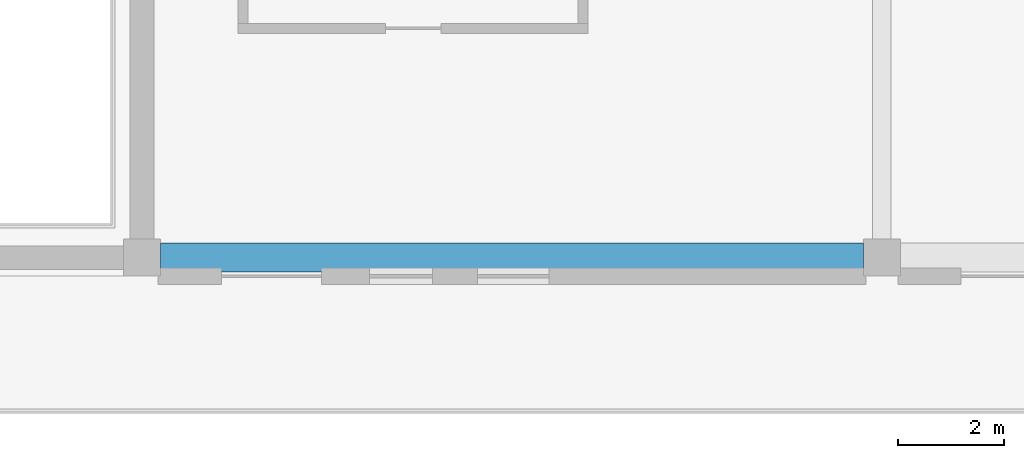
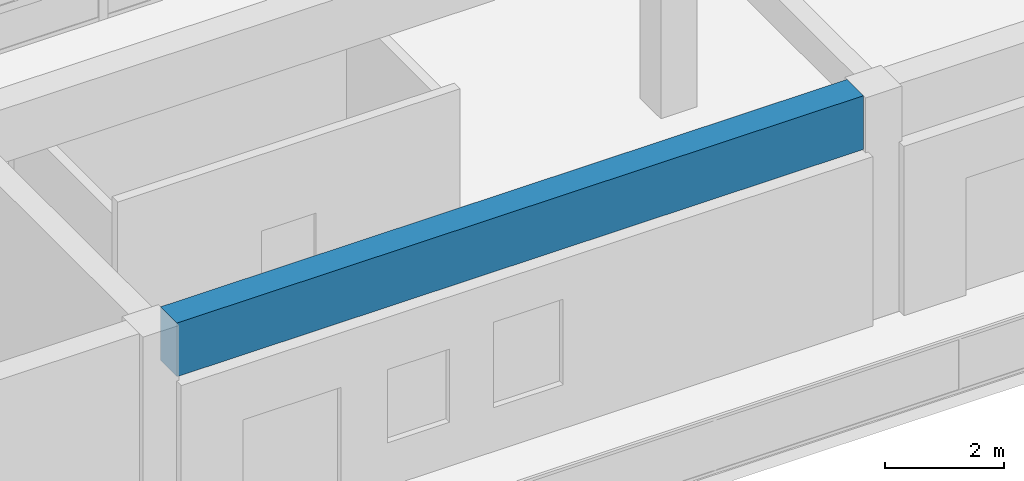
# One storey, part 19 of 94: 1 beam.
"""IFC4 building model written with IfcOpenShell, lengths in metres."""

import ifcopenshell
import ifcopenshell.guid

model = None  # the IFC model being written
_history = None  # IfcOwnerHistory: only IFC2X3 demands one
_inside = {}  # id of a spatial element -> (the spatial element, [elements in it])
_under = {}  # id of a project, library or spatial element -> (it, [spatial elements below it])
_declared = {}  # id of a project -> (the project, [libraries it declares])
_typed = {}  # id of a type object -> (the type object, [elements of that type])
_made_of = {}  # id of a material, layer set ... -> (it, [elements and type objects made of it])


def new_model(schema):
    """Start an empty IFC model of exactly this schema.

    Asked for "IFC4X3", IfcOpenShell would pick the latest addendum, in which some entities
    have other attributes; the version numbers below select the first issue.
    IFC2X3 requires an IfcOwnerHistory on every rooted entity: one is made here for all.
    """
    global model, _history
    if schema == "IFC4X3":
        model = ifcopenshell.file(schema_version=(4, 3, 0, 0))
    else:
        model = ifcopenshell.file(schema=schema)
    _inside.clear()
    _under.clear()
    _declared.clear()
    _typed.clear()
    _made_of.clear()
    _history = None
    if model.schema == "IFC2X3":
        org = make("IfcOrganization", Name="unknown")
        user = make(
            "IfcPersonAndOrganization",
            ThePerson=make("IfcPerson", FamilyName="unknown"),
            TheOrganization=org,
        )
        app = make(
            "IfcApplication",
            ApplicationDeveloper=org,
            Version="unknown",
            ApplicationFullName="unknown",
            ApplicationIdentifier="unknown",
        )
        _history = make(
            "IfcOwnerHistory",
            OwningUser=user,
            OwningApplication=app,
            ChangeAction="ADDED",
            CreationDate=0,
        )
    return model


def make(cls, **values):
    """One entity of the class cls with the attributes given. An attribute that is None is left unset."""
    return model.create_entity(
        cls, **{name: value for name, value in values.items() if value is not None}
    )


def rooted(cls, **values):
    """An entity with a GlobalId (a new one), such as an element, a storey or a relation."""
    return make(cls, GlobalId=ifcopenshell.guid.new(), OwnerHistory=_history, **values)


def si_unit(unit_type, name, prefix=None):
    """IfcSIUnit, for example si_unit("LENGTHUNIT", "METRE", prefix="MILLI")."""
    return make("IfcSIUnit", UnitType=unit_type, Prefix=prefix, Name=name)


def assignment(units):
    """IfcUnitAssignment: the units of a project."""
    return None if units is None else make("IfcUnitAssignment", Units=units)


def point(xyz):
    """IfcCartesianPoint."""
    return None if xyz is None else make("IfcCartesianPoint", Coordinates=xyz)


def direction(xyz):
    """IfcDirection."""
    return None if xyz is None else make("IfcDirection", DirectionRatios=xyz)


def frame(location, z_axis=None, x_axis=None):
    """IfcAxis2Placement3D, a coordinate frame: its origin and axes. An axis left out is left unset."""
    return make(
        "IfcAxis2Placement3D",
        Location=point(location),
        Axis=direction(z_axis),
        RefDirection=direction(x_axis),
    )


def frame_2d(location, x_axis=None):
    """IfcAxis2Placement2D, a coordinate frame in the plane: its origin and x axis."""
    return make(
        "IfcAxis2Placement2D", Location=point(location), RefDirection=direction(x_axis)
    )


def origin():
    """The frame at (0, 0, 0) with its axes left unset."""
    return frame((0.0, 0.0, 0.0))


def origin_2d():
    """The frame at (0, 0) in the plane with its x axis left unset."""
    return frame_2d((0.0, 0.0))


def place(relative_to, where):
    """IfcLocalPlacement: puts the frame where relative to a parent placement (None: the world)."""
    return make(
        "IfcLocalPlacement", PlacementRelTo=relative_to, RelativePlacement=where
    )


def context(
    kind, dimensions, precision=None, world=None, true_north=None, identifier=None
):
    """IfcGeometricRepresentationContext, for example the 3D "Model" context."""
    return make(
        "IfcGeometricRepresentationContext",
        ContextIdentifier=identifier,
        ContextType=kind,
        CoordinateSpaceDimension=dimensions,
        Precision=precision,
        WorldCoordinateSystem=world,
        TrueNorth=true_north,
    )


def subcontext(parent, identifier, kind, view, scale=None):
    """IfcGeometricRepresentationSubContext, for example "Body" below "Model"."""
    return make(
        "IfcGeometricRepresentationSubContext",
        ContextIdentifier=identifier,
        ContextType=kind,
        ParentContext=parent,
        TargetScale=scale,
        TargetView=view,
    )


def project(units=None, contexts=None):
    """IfcProject with its units and contexts."""
    return rooted(
        "IfcProject",
        Name="project",
        RepresentationContexts=contexts,
        UnitsInContext=assignment(units),
    )


def spatial(cls, under=None, at=None, **own):
    """A site, building, storey or space (cls), placed at a placement, below another one or the project."""
    s = rooted(cls, ObjectPlacement=at, **own)
    if under is not None:
        _under.setdefault(under.id(), (under, []))[1].append(s)
    return s


def profile(cls, at=None, kind="AREA", **sizes):
    """A parametric profile (cls). Its sizes go by their IFC names, for example OverallWidth=200.0."""
    return make(cls, ProfileType=kind, Position=at, **sizes)


def rectangle(**sizes):
    """IfcRectangleProfileDef."""
    return profile("IfcRectangleProfileDef", **sizes)


def extrude(swept, where, along, depth):
    """IfcExtrudedAreaSolid: the profile swept, set in the frame where, extruded along a direction by depth."""
    return make(
        "IfcExtrudedAreaSolid",
        SweptArea=swept,
        Position=where,
        ExtrudedDirection=direction(along),
        Depth=depth,
    )


def shape(context_of_items, identifier, shape_type, items):
    """IfcShapeRepresentation: the items that make up one representation, for example the "Body"."""
    return make(
        "IfcShapeRepresentation",
        ContextOfItems=context_of_items,
        RepresentationIdentifier=identifier,
        RepresentationType=shape_type,
        Items=items,
    )


def material(Name=None, Category=None):
    """IfcMaterial."""
    return make("IfcMaterial", Name=Name, Category=Category)


def material_profile(
    of_material, cross_section, Name=None, Category=None, Priority=None
):
    """IfcMaterialProfile: a cross section and its material."""
    return make(
        "IfcMaterialProfile",
        Name=Name,
        Material=of_material,
        Profile=cross_section,
        Priority=Priority,
        Category=Category,
    )


def profile_set(profiles, Name=None, composite=None):
    """IfcMaterialProfileSet."""
    return make(
        "IfcMaterialProfileSet",
        Name=Name,
        MaterialProfiles=profiles,
        CompositeProfile=composite,
    )


def made_of(thing, what):
    """Note that an element or type object is made of a material, layer set ...; save() writes the relation."""
    if what is not None:
        _made_of.setdefault(what.id(), (what, []))[1].append(thing)
    return thing


def type_object(cls, material=None, **own):
    """A type object (cls), such as IfcWallType, which elements share."""
    return made_of(rooted(cls, **own), material)


def element(
    cls,
    number,
    at=None,
    inside=None,
    cuts=None,
    type_object=None,
    material=None,
    context=None,
    identifier="Body",
    shape_type=None,
    held_by="IfcProductDefinitionShape",
    body=None,
    shapes=None,
    **own,
):
    """One element of the class cls, such as IfcWall. Its Tag is "e" and its number.

    at: its placement. inside: the storey or other place that contains it. cuts: it is an
    opening in that element (IfcRelVoidsElement). A single representation is given by context,
    identifier, shape_type and body (its items); several are given by shapes. held_by: the class
    of the entity that holds the representations. save() writes the other relations.
    """
    e = rooted(cls, Tag="e%d" % number, ObjectPlacement=at, **own)
    if body is not None:
        shapes = [shape(context, identifier, shape_type, body)]
    if shapes is not None:
        e.Representation = make(held_by, Representations=shapes)
    if inside is not None:
        _inside.setdefault(inside.id(), (inside, []))[1].append(e)
    if cuts is not None:
        rooted(
            "IfcRelVoidsElement", RelatingBuildingElement=cuts, RelatedOpeningElement=e
        )
    if type_object is not None:
        _typed.setdefault(type_object.id(), (type_object, []))[1].append(e)
    return made_of(e, material)


def aggregate(whole, parts):
    """IfcRelAggregates: a whole, such as a stair, and the parts it consists of."""
    return rooted("IfcRelAggregates", RelatingObject=whole, RelatedObjects=parts)


def save(model, path):
    """Write the relations noted so far, then the file.

    IfcRelAggregates (storeys below a building ...), IfcRelContainedInSpatialStructure (elements
    in a storey), IfcRelDefinesByType, IfcRelAssociatesMaterial and IfcRelDeclares: one each for
    every whole, place, type object, material and project.
    """
    for whole, parts in _under.values():
        aggregate(whole, parts)
    for where, things in _inside.values():
        rooted(
            "IfcRelContainedInSpatialStructure",
            RelatedElements=things,
            RelatingStructure=where,
        )
    for kind, things in _typed.values():
        rooted("IfcRelDefinesByType", RelatedObjects=things, RelatingType=kind)
    for what, things in _made_of.values():
        rooted("IfcRelAssociatesMaterial", RelatedObjects=things, RelatingMaterial=what)
    for by, libraries in _declared.values():
        rooted("IfcRelDeclares", RelatingContext=by, RelatedDefinitions=libraries)
    model.write(path)


model = new_model("IFC4")

# Units and contexts
model_context = context("Model", 3, precision=1e-05, world=origin(), true_north=direction((0.0, 1.0)))
body_context = subcontext(model_context, "Body", "Model", "MODEL_VIEW")
ifc_project = project(units=[si_unit("LENGTHUNIT", "METRE"), si_unit("AREAUNIT", "SQUARE_METRE"), si_unit("VOLUMEUNIT", "CUBIC_METRE"), si_unit("PLANEANGLEUNIT", "RADIAN"), si_unit("MASSUNIT", "GRAM", prefix="KILO")], contexts=[model_context])

# Site, building, storey
site_placement = place(None, origin())
site = spatial("IfcSite", under=ifc_project, at=site_placement, CompositionType="ELEMENT")
building_placement = place(site_placement, origin())
building = spatial("IfcBuilding", under=site, at=building_placement, Name="Linyun Crest Stadium", CompositionType="ELEMENT")
storey_placement = place(building_placement, frame((0.0, 0.0, 16.199951171875)))
storey = spatial("IfcBuildingStorey", under=building, at=storey_placement, Name="L04", CompositionType="ELEMENT", Elevation=16.199951171875)

# Beam
ifc_material = material(Name="Concrete C50", Category="concrete")
ifc_material_profile = material_profile(ifc_material, rectangle(XDim=0.550048828125, YDim=1.10009765625, at=origin_2d()), Name="RCB 1100x550")
ifc_profile_set = profile_set([ifc_material_profile], Name="Concrete C50")
beam_type = type_object("IfcBeamType", Name="TB01", PredefinedType="USERDEFINED", material=ifc_profile_set)
beam_placement = place(storey_placement, frame((-13.64990234375, -87.25, 4.045166015625), z_axis=(1.0, 0.0, 0.0), x_axis=(0.0, 1.0, 0.0)))
element("IfcBeam", 1, at=beam_placement, inside=storey, type_object=beam_type, Name="Frame beam TB01 L04 940", ObjectType="GIRDER", PredefinedType="USERDEFINED", context=body_context, shape_type="SweptSolid", body=[
    extrude(rectangle(XDim=0.550048828125, YDim=1.10009765625, at=origin_2d()), origin(), (0.0, 0.0, 1.0), 13.2998046875),
])

save(model, "model.ifc")
